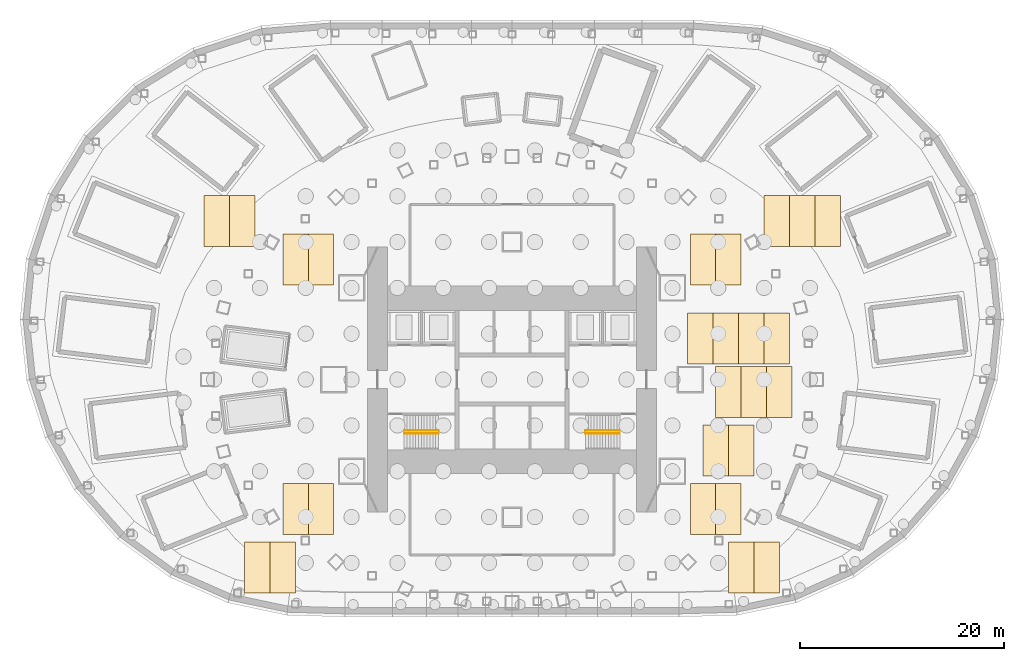
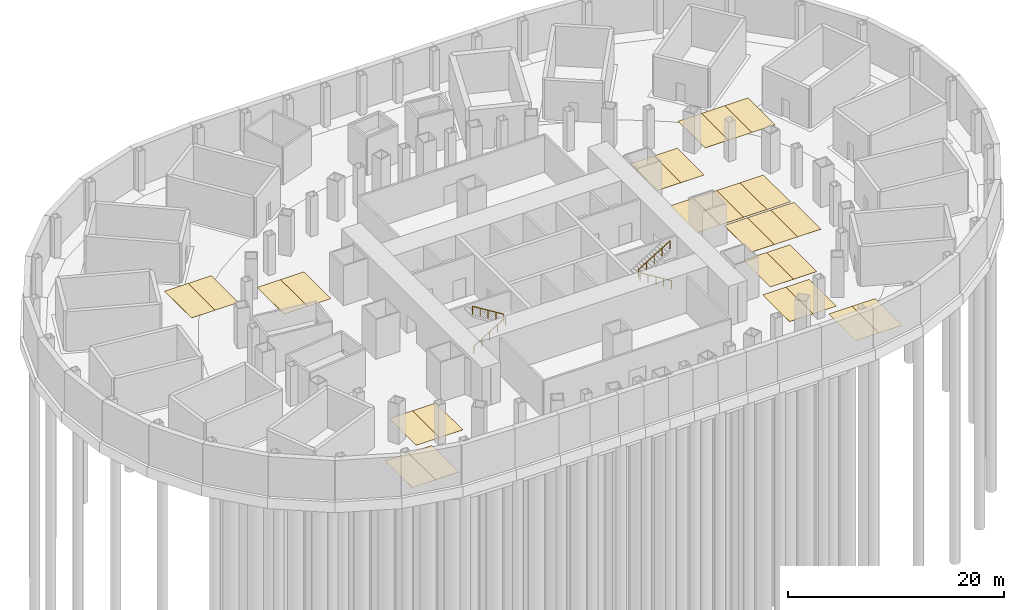
# One storey, part 10 of 11: 26 coverings, 4 railings.
"""IFC4 building model written with IfcOpenShell, lengths in metres."""

from ifc_helpers import new_model, si_unit, direction, frame, origin, origin_2d, place, context, subcontext, project, spatial, polyline, circle, outline, extrude, material, layer, layer_set, type_object, element, save


model = new_model("IFC4")

# Units and contexts
model_context = context("Model", 3, precision=1e-05, world=origin(), true_north=direction((0.0, 1.0)))
body_context = subcontext(model_context, "Body", "Model", "MODEL_VIEW")
ifc_project = project(units=[si_unit("LENGTHUNIT", "METRE"), si_unit("AREAUNIT", "SQUARE_METRE"), si_unit("VOLUMEUNIT", "CUBIC_METRE"), si_unit("PLANEANGLEUNIT", "RADIAN"), si_unit("MASSUNIT", "GRAM", prefix="KILO")], contexts=[model_context])

# Site, building, storey
site_placement = place(None, origin())
site = spatial("IfcSite", under=ifc_project, at=site_placement, CompositionType="ELEMENT")
building_placement = place(site_placement, origin())
building = spatial("IfcBuilding", under=site, at=building_placement, Name="Lantaw Convention Tower", CompositionType="ELEMENT")
storey_placement = place(building_placement, frame((0.0, 0.0, -10.0)))
storey = spatial("IfcBuildingStorey", under=building, at=storey_placement, Name="B2", CompositionType="ELEMENT", Elevation=-10.0)

# Coverings
ifc_material_1 = material(Name="Thermoplastic road marking paint, white")
ifc_layer = layer(ifc_material_1, 0.010009765625)
ifc_layer_set = layer_set([ifc_layer], Name="Parking bay marking")
covering_type = type_object("IfcCoveringType", Name="Parking bay marking", PredefinedType="FLOORING", material=ifc_layer_set)
covering_1_placement = place(storey_placement, origin())
element("IfcCovering", 1, at=covering_1_placement, inside=storey, type_object=covering_type, Name="Parking bay marking 001", PredefinedType="FLOORING", context=body_context, shape_type="SweptSolid", body=[
    extrude(outline(polyline([(-30.25, 13.050048828125), (-27.75, 13.050048828125), (-27.75, 18.050048828125), (-30.25, 18.050048828125), (-30.25, 13.050048828125)])), origin(), (0.0, 0.0, 1.0), 0.010009765625),
])
covering_2_placement = place(storey_placement, origin())
element("IfcCovering", 2, at=covering_2_placement, inside=storey, type_object=covering_type, Name="Parking bay marking 002", PredefinedType="FLOORING", context=body_context, shape_type="SweptSolid", body=[
    extrude(outline(polyline([(-27.75, 13.050048828125), (-25.25, 13.050048828125), (-25.25, 18.050048828125), (-27.75, 18.050048828125), (-27.75, 13.050048828125)])), origin(), (0.0, 0.0, 1.0), 0.010009765625),
])
covering_3_placement = place(storey_placement, origin())
element("IfcCovering", 3, at=covering_3_placement, inside=storey, type_object=covering_type, Name="Parking bay marking 003", PredefinedType="FLOORING", context=body_context, shape_type="SweptSolid", body=[
    extrude(outline(polyline([(24.75, 13.050048828125), (27.25, 13.050048828125), (27.25, 18.050048828125), (24.75, 18.050048828125), (24.75, 13.050048828125)])), origin(), (0.0, 0.0, 1.0), 0.010009765625),
])
covering_4_placement = place(storey_placement, origin())
element("IfcCovering", 4, at=covering_4_placement, inside=storey, type_object=covering_type, Name="Parking bay marking 004", PredefinedType="FLOORING", context=body_context, shape_type="SweptSolid", body=[
    extrude(outline(polyline([(27.25, 13.050048828125), (29.75, 13.050048828125), (29.75, 18.050048828125), (27.25, 18.050048828125), (27.25, 13.050048828125)])), origin(), (0.0, 0.0, 1.0), 0.010009765625),
])
covering_5_placement = place(storey_placement, origin())
element("IfcCovering", 5, at=covering_5_placement, inside=storey, type_object=covering_type, Name="Parking bay marking 005", PredefinedType="FLOORING", context=body_context, shape_type="SweptSolid", body=[
    extrude(outline(polyline([(29.75, 13.050048828125), (32.25, 13.050048828125), (32.25, 18.050048828125), (29.75, 18.050048828125), (29.75, 13.050048828125)])), origin(), (0.0, 0.0, 1.0), 0.010009765625),
])
covering_6_placement = place(storey_placement, origin())
element("IfcCovering", 6, at=covering_6_placement, inside=storey, type_object=covering_type, Name="Parking bay marking 006", PredefinedType="FLOORING", context=body_context, shape_type="SweptSolid", body=[
    extrude(outline(polyline([(17.25, 1.550048828125), (19.75, 1.550048828125), (19.75, 6.550048828125), (17.25, 6.550048828125), (17.25, 1.550048828125)])), origin(), (0.0, 0.0, 1.0), 0.010009765625),
])
covering_7_placement = place(storey_placement, origin())
element("IfcCovering", 7, at=covering_7_placement, inside=storey, type_object=covering_type, Name="Parking bay marking 007", PredefinedType="FLOORING", context=body_context, shape_type="SweptSolid", body=[
    extrude(outline(polyline([(19.75, 1.550048828125), (22.25, 1.550048828125), (22.25, 6.550048828125), (19.75, 6.550048828125), (19.75, 1.550048828125)])), origin(), (0.0, 0.0, 1.0), 0.010009765625),
])
covering_8_placement = place(storey_placement, origin())
element("IfcCovering", 8, at=covering_8_placement, inside=storey, type_object=covering_type, Name="Parking bay marking 008", PredefinedType="FLOORING", context=body_context, shape_type="SweptSolid", body=[
    extrude(outline(polyline([(22.25, 1.550048828125), (24.75, 1.550048828125), (24.75, 6.550048828125), (22.25, 6.550048828125), (22.25, 1.550048828125)])), origin(), (0.0, 0.0, 1.0), 0.010009765625),
])
covering_9_placement = place(storey_placement, origin())
element("IfcCovering", 9, at=covering_9_placement, inside=storey, type_object=covering_type, Name="Parking bay marking 009", PredefinedType="FLOORING", context=body_context, shape_type="SweptSolid", body=[
    extrude(outline(polyline([(24.75, 1.550048828125), (27.25, 1.550048828125), (27.25, 6.550048828125), (24.75, 6.550048828125), (24.75, 1.550048828125)])), origin(), (0.0, 0.0, 1.0), 0.010009765625),
])
covering_10_placement = place(storey_placement, origin())
element("IfcCovering", 10, at=covering_10_placement, inside=storey, type_object=covering_type, Name="Parking bay marking 010", PredefinedType="FLOORING", context=body_context, shape_type="SweptSolid", body=[
    extrude(outline(polyline([(-22.5, -15.199951171875), (-20.0, -15.199951171875), (-20.0, -10.199951171875), (-22.5, -10.199951171875), (-22.5, -15.199951171875)])), origin(), (0.0, 0.0, 1.0), 0.010009765625),
])
covering_11_placement = place(storey_placement, origin())
element("IfcCovering", 11, at=covering_11_placement, inside=storey, type_object=covering_type, Name="Parking bay marking 011", PredefinedType="FLOORING", context=body_context, shape_type="SweptSolid", body=[
    extrude(outline(polyline([(-20.0, -15.199951171875), (-17.5, -15.199951171875), (-17.5, -10.199951171875), (-20.0, -10.199951171875), (-20.0, -15.199951171875)])), origin(), (0.0, 0.0, 1.0), 0.010009765625),
])
covering_12_placement = place(storey_placement, origin())
element("IfcCovering", 12, at=covering_12_placement, inside=storey, type_object=covering_type, Name="Parking bay marking 012", PredefinedType="FLOORING", context=body_context, shape_type="SweptSolid", body=[
    extrude(outline(polyline([(17.5, -15.199951171875), (20.0, -15.199951171875), (20.0, -10.199951171875), (17.5, -10.199951171875), (17.5, -15.199951171875)])), origin(), (0.0, 0.0, 1.0), 0.010009765625),
])
covering_13_placement = place(storey_placement, origin())
element("IfcCovering", 13, at=covering_13_placement, inside=storey, type_object=covering_type, Name="Parking bay marking 013", PredefinedType="FLOORING", context=body_context, shape_type="SweptSolid", body=[
    extrude(outline(polyline([(20.0, -15.199951171875), (22.5, -15.199951171875), (22.5, -10.199951171875), (20.0, -10.199951171875), (20.0, -15.199951171875)])), origin(), (0.0, 0.0, 1.0), 0.010009765625),
])
covering_14_placement = place(storey_placement, origin())
element("IfcCovering", 14, at=covering_14_placement, inside=storey, type_object=covering_type, Name="Parking bay marking 014", PredefinedType="FLOORING", context=body_context, shape_type="SweptSolid", body=[
    extrude(outline(polyline([(20.0, -3.699951171875), (22.5, -3.699951171875), (22.5, 1.300048828125), (20.0, 1.300048828125), (20.0, -3.699951171875)])), origin(), (0.0, 0.0, 1.0), 0.010009765625),
])
covering_15_placement = place(storey_placement, origin())
element("IfcCovering", 15, at=covering_15_placement, inside=storey, type_object=covering_type, Name="Parking bay marking 015", PredefinedType="FLOORING", context=body_context, shape_type="SweptSolid", body=[
    extrude(outline(polyline([(22.5, -3.699951171875), (25.0, -3.699951171875), (25.0, 1.300048828125), (22.5, 1.300048828125), (22.5, -3.699951171875)])), origin(), (0.0, 0.0, 1.0), 0.010009765625),
])
covering_16_placement = place(storey_placement, origin())
element("IfcCovering", 16, at=covering_16_placement, inside=storey, type_object=covering_type, Name="Parking bay marking 016", PredefinedType="FLOORING", context=body_context, shape_type="SweptSolid", body=[
    extrude(outline(polyline([(25.0, -3.699951171875), (27.5, -3.699951171875), (27.5, 1.300048828125), (25.0, 1.300048828125), (25.0, -3.699951171875)])), origin(), (0.0, 0.0, 1.0), 0.010009765625),
])
covering_17_placement = place(storey_placement, origin())
element("IfcCovering", 17, at=covering_17_placement, inside=storey, type_object=covering_type, Name="Parking bay marking 017", PredefinedType="FLOORING", context=body_context, shape_type="SweptSolid", body=[
    extrude(outline(polyline([(-26.25, -20.949951171875), (-23.75, -20.949951171875), (-23.75, -15.949951171875), (-26.25, -15.949951171875), (-26.25, -20.949951171875)])), origin(), (0.0, 0.0, 1.0), 0.010009765625),
])
covering_18_placement = place(storey_placement, origin())
element("IfcCovering", 18, at=covering_18_placement, inside=storey, type_object=covering_type, Name="Parking bay marking 018", PredefinedType="FLOORING", context=body_context, shape_type="SweptSolid", body=[
    extrude(outline(polyline([(-23.75, -20.949951171875), (-21.25, -20.949951171875), (-21.25, -15.949951171875), (-23.75, -15.949951171875), (-23.75, -20.949951171875)])), origin(), (0.0, 0.0, 1.0), 0.010009765625),
])
covering_19_placement = place(storey_placement, origin())
element("IfcCovering", 19, at=covering_19_placement, inside=storey, type_object=covering_type, Name="Parking bay marking 019", PredefinedType="FLOORING", context=body_context, shape_type="SweptSolid", body=[
    extrude(outline(polyline([(21.25, -20.949951171875), (23.75, -20.949951171875), (23.75, -15.949951171875), (21.25, -15.949951171875), (21.25, -20.949951171875)])), origin(), (0.0, 0.0, 1.0), 0.010009765625),
])
covering_20_placement = place(storey_placement, origin())
element("IfcCovering", 20, at=covering_20_placement, inside=storey, type_object=covering_type, Name="Parking bay marking 020", PredefinedType="FLOORING", context=body_context, shape_type="SweptSolid", body=[
    extrude(outline(polyline([(23.75, -20.949951171875), (26.25, -20.949951171875), (26.25, -15.949951171875), (23.75, -15.949951171875), (23.75, -20.949951171875)])), origin(), (0.0, 0.0, 1.0), 0.010009765625),
])
covering_21_placement = place(storey_placement, origin())
element("IfcCovering", 21, at=covering_21_placement, inside=storey, type_object=covering_type, Name="Parking bay marking 021", PredefinedType="FLOORING", context=body_context, shape_type="SweptSolid", body=[
    extrude(outline(polyline([(18.75, -9.449951171875), (21.25, -9.449951171875), (21.25, -4.449951171875), (18.75, -4.449951171875), (18.75, -9.449951171875)])), origin(), (0.0, 0.0, 1.0), 0.010009765625),
])
covering_22_placement = place(storey_placement, origin())
element("IfcCovering", 22, at=covering_22_placement, inside=storey, type_object=covering_type, Name="Parking bay marking 022", PredefinedType="FLOORING", context=body_context, shape_type="SweptSolid", body=[
    extrude(outline(polyline([(21.25, -9.449951171875), (23.75, -9.449951171875), (23.75, -4.449951171875), (21.25, -4.449951171875), (21.25, -9.449951171875)])), origin(), (0.0, 0.0, 1.0), 0.010009765625),
])
covering_23_placement = place(storey_placement, origin())
element("IfcCovering", 23, at=covering_23_placement, inside=storey, type_object=covering_type, Name="Parking bay marking 023", PredefinedType="FLOORING", context=body_context, shape_type="SweptSolid", body=[
    extrude(outline(polyline([(-22.5, 9.300048828125), (-20.0, 9.300048828125), (-20.0, 14.300048828125), (-22.5, 14.300048828125), (-22.5, 9.300048828125)])), origin(), (0.0, 0.0, 1.0), 0.010009765625),
])
covering_24_placement = place(storey_placement, origin())
element("IfcCovering", 24, at=covering_24_placement, inside=storey, type_object=covering_type, Name="Parking bay marking 024", PredefinedType="FLOORING", context=body_context, shape_type="SweptSolid", body=[
    extrude(outline(polyline([(-20.0, 9.300048828125), (-17.5, 9.300048828125), (-17.5, 14.300048828125), (-20.0, 14.300048828125), (-20.0, 9.300048828125)])), origin(), (0.0, 0.0, 1.0), 0.010009765625),
])
covering_25_placement = place(storey_placement, origin())
element("IfcCovering", 25, at=covering_25_placement, inside=storey, type_object=covering_type, Name="Parking bay marking 025", PredefinedType="FLOORING", context=body_context, shape_type="SweptSolid", body=[
    extrude(outline(polyline([(17.5, 9.300048828125), (20.0, 9.300048828125), (20.0, 14.300048828125), (17.5, 14.300048828125), (17.5, 9.300048828125)])), origin(), (0.0, 0.0, 1.0), 0.010009765625),
])
covering_26_placement = place(storey_placement, origin())
element("IfcCovering", 26, at=covering_26_placement, inside=storey, type_object=covering_type, Name="Parking bay marking 026", PredefinedType="FLOORING", context=body_context, shape_type="SweptSolid", body=[
    extrude(outline(polyline([(20.0, 9.300048828125), (22.5, 9.300048828125), (22.5, 14.300048828125), (20.0, 14.300048828125), (20.0, 9.300048828125)])), origin(), (0.0, 0.0, 1.0), 0.010009765625),
])

# Railings
ifc_material_2 = material(Name="Stainless steel", Category="steel")
railing_type = type_object("IfcRailingType", Name="Stair handrail", PredefinedType="HANDRAIL", material=ifc_material_2)
railing_1_placement = place(storey_placement, frame((-10.580078125, -5.280029296875, 0.173095703125)))
element("IfcRailing", 27, at=railing_1_placement, inside=storey, type_object=railing_type, Name="Stair handrail S1", PredefinedType="HANDRAIL", context=body_context, shape_type="SweptSolid", body=[
    extrude(circle(Radius=0.02392578125, at=origin_2d()), frame((0.0, 0.0, 0.8759765625), z_axis=(0.850623216509, 0.0, 0.525775754039), x_axis=(0.0, 1.0, 0.0)), (0.0, 0.0, 1.0), 3.9501953125),
    extrude(circle(Radius=0.02099609375, at=origin_2d()), origin(), (0.0, 0.0, 1.0), 0.851806640625),
    extrude(circle(Radius=0.02099609375, at=origin_2d()), frame((0.840087890625, 0.0, 0.519287109375)), (0.0, 0.0, 1.0), 0.851806640625),
    extrude(circle(Radius=0.02099609375, at=origin_2d()), frame((1.68017578125, 0.0, 1.03857421875)), (0.0, 0.0, 1.0), 0.851806640625),
    extrude(circle(Radius=0.02099609375, at=origin_2d()), frame((2.52001953125, 0.0, 1.5576171875)), (0.0, 0.0, 1.0), 0.851806640625),
    extrude(circle(Radius=0.02099609375, at=origin_2d()), frame((3.360107421875, 0.0, 2.076904296875)), (0.0, 0.0, 1.0), 0.851806640625),
])
for number, where, name in (
    (28, (-7.219970703125, -4.97998046875, 2.423095703125), "Stair handrail S1"),
    (29, (10.580078125, -5.280029296875, 0.173095703125), "Stair handrail S2"),
):
    element("IfcRailing", number, at=place(storey_placement, frame(where)), inside=storey, type_object=railing_type, Name=name, PredefinedType="HANDRAIL", context=body_context, shape_type="SweptSolid", body=[
        extrude(circle(Radius=0.02392578125, at=origin_2d()), frame((0.0, 0.0, 0.8759765625), z_axis=(-0.850623216509, 0.0, 0.525775754039), x_axis=(0.0, -1.0, 0.0)), (0.0, 0.0, 1.0), 3.9501953125),
        extrude(circle(Radius=0.02099609375, at=origin_2d()), origin(), (0.0, 0.0, 1.0), 0.851806640625),
        extrude(circle(Radius=0.02099609375, at=origin_2d()), frame((-0.840087890625, 0.0, 0.519287109375)), (0.0, 0.0, 1.0), 0.851806640625),
        extrude(circle(Radius=0.02099609375, at=origin_2d()), frame((-1.68017578125, 0.0, 1.03857421875)), (0.0, 0.0, 1.0), 0.851806640625),
        extrude(circle(Radius=0.02099609375, at=origin_2d()), frame((-2.52001953125, 0.0, 1.5576171875)), (0.0, 0.0, 1.0), 0.851806640625),
        extrude(circle(Radius=0.02099609375, at=origin_2d()), frame((-3.360107421875, 0.0, 2.076904296875)), (0.0, 0.0, 1.0), 0.851806640625),
    ])
railing_2_placement = place(storey_placement, frame((7.219970703125, -4.97998046875, 2.423095703125)))
element("IfcRailing", 30, at=railing_2_placement, inside=storey, type_object=railing_type, Name="Stair handrail S2", PredefinedType="HANDRAIL", context=body_context, shape_type="SweptSolid", body=[
    extrude(circle(Radius=0.02392578125, at=origin_2d()), frame((0.0, 0.0, 0.8759765625), z_axis=(0.850623216509, 0.0, 0.525775754039), x_axis=(0.0, 1.0, 0.0)), (0.0, 0.0, 1.0), 3.9501953125),
    extrude(circle(Radius=0.02099609375, at=origin_2d()), origin(), (0.0, 0.0, 1.0), 0.851806640625),
    extrude(circle(Radius=0.02099609375, at=origin_2d()), frame((0.840087890625, 0.0, 0.519287109375)), (0.0, 0.0, 1.0), 0.851806640625),
    extrude(circle(Radius=0.02099609375, at=origin_2d()), frame((1.68017578125, 0.0, 1.03857421875)), (0.0, 0.0, 1.0), 0.851806640625),
    extrude(circle(Radius=0.02099609375, at=origin_2d()), frame((2.52001953125, 0.0, 1.5576171875)), (0.0, 0.0, 1.0), 0.851806640625),
    extrude(circle(Radius=0.02099609375, at=origin_2d()), frame((3.360107421875, 0.0, 2.076904296875)), (0.0, 0.0, 1.0), 0.851806640625),
])

save(model, "model.ifc")
